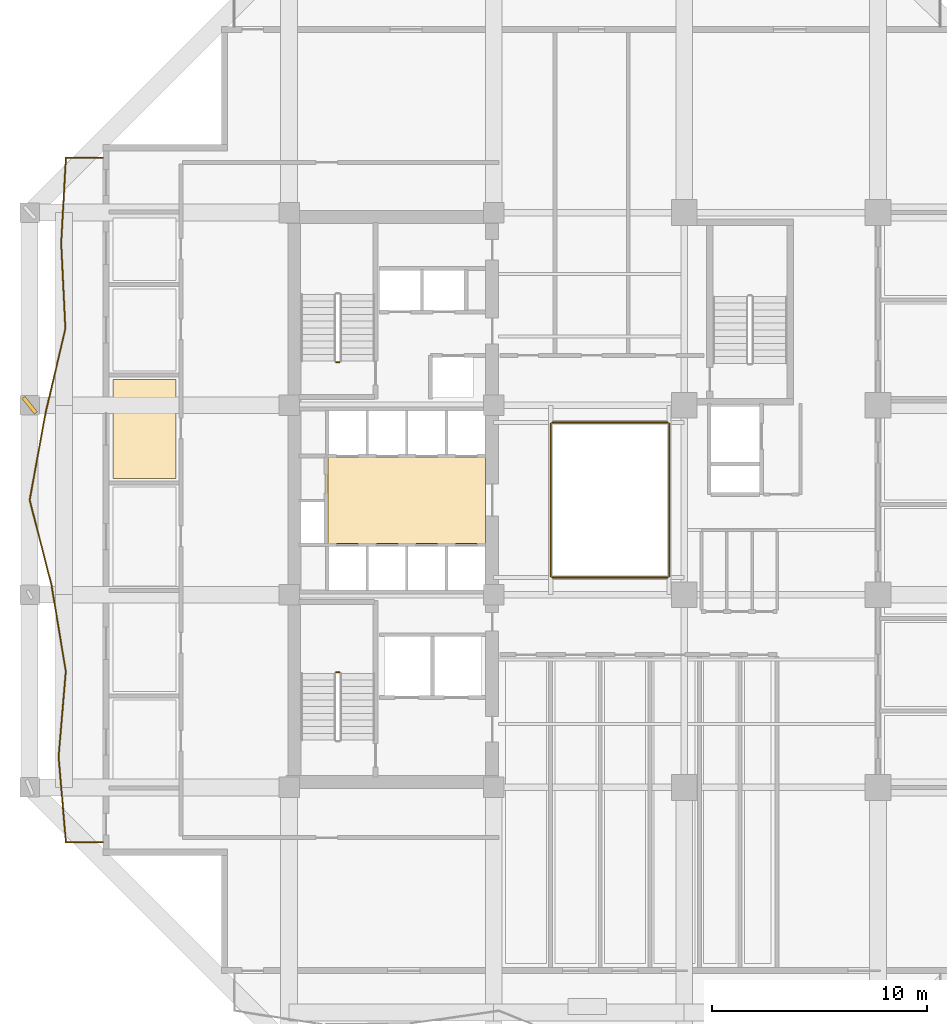
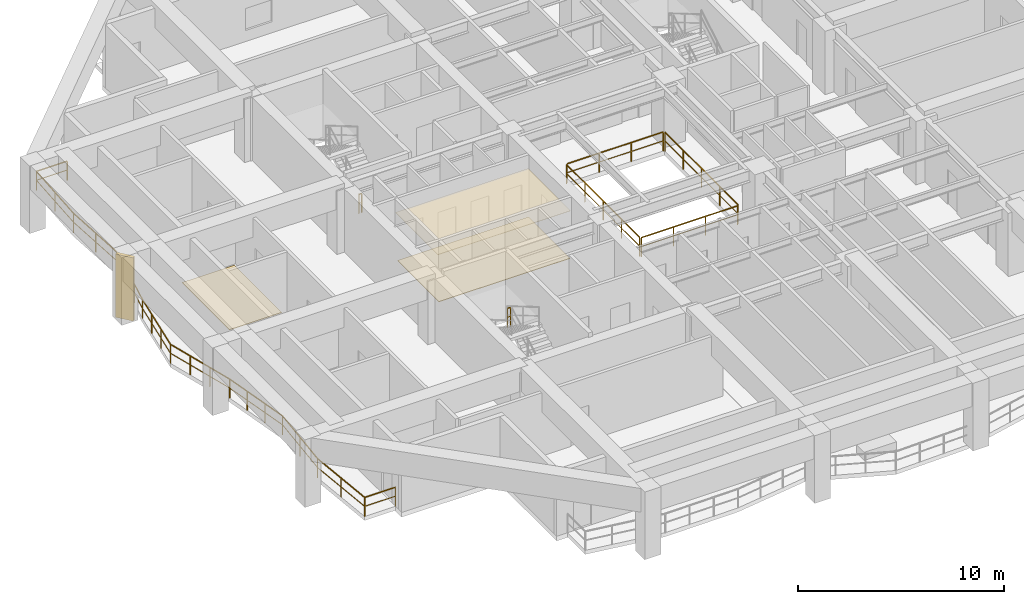
# One storey, part 9 of 13: 7 railings, 3 coverings, 1 shading device.
"""IFC4 building model written with IfcOpenShell, lengths in metres."""

from ifc_helpers import new_model, si_unit, direction, frame, origin, origin_2d, place, context, subcontext, project, spatial, polyline, rectangle, outline, extrude, material, layer, layer_set, type_object, element, save


model = new_model("IFC4")

# Units and contexts
model_context = context("Model", 3, precision=1e-05, world=origin(), true_north=direction((0.0, 1.0)))
body_context = subcontext(model_context, "Body", "Model", "MODEL_VIEW")
ifc_project = project(units=[si_unit("LENGTHUNIT", "METRE"), si_unit("AREAUNIT", "SQUARE_METRE"), si_unit("VOLUMEUNIT", "CUBIC_METRE"), si_unit("PLANEANGLEUNIT", "RADIAN"), si_unit("MASSUNIT", "GRAM", prefix="KILO")], contexts=[model_context])

# Site, building, storey
site_placement = place(None, origin())
site = spatial("IfcSite", under=ifc_project, at=site_placement, CompositionType="ELEMENT")
building_placement = place(site_placement, origin())
building = spatial("IfcBuilding", under=site, at=building_placement, Name="Kundavana Baori Tower", CompositionType="ELEMENT")
storey_placement = place(building_placement, frame((0.0, 0.0, 78.0)))
storey = spatial("IfcBuildingStorey", under=building, at=storey_placement, Name="L18", CompositionType="ELEMENT", Elevation=78.0)

# Coverings
ifc_material_1 = material(Name="Perforated Acoustic Mineral Fibre Ceiling Board")
ifc_layer_1 = layer(ifc_material_1, 0.02490234375, Name="COV-INT-CEIL")
ifc_layer_set_1 = layer_set([ifc_layer_1], Name="Perforated Acoustic Mineral Fibre Ceiling Board")
covering_type_1 = type_object("IfcCoveringType", Name="COV-INT-CEIL", PredefinedType="CEILING", material=ifc_layer_set_1)
covering_1_placement = place(storey_placement, frame((0.0, 0.0, 2.85009765625)))
element("IfcCovering", 1, at=covering_1_placement, inside=storey, type_object=covering_type_1, Name="L18 Core Lift Lobby Acoustic Ceiling", PredefinedType="CEILING", context=body_context, shape_type="SweptSolid", body=[
    extrude(outline(polyline([(17.159912109375, 26.52001953125), (24.580078125, 26.52001953125), (24.580078125, 30.639892578125), (17.159912109375, 30.639892578125), (17.159912109375, 26.52001953125)])), origin(), (0.0, 0.0, 1.0), 0.02490234375),
])
ifc_material_2 = material(Name="Honed Kota Stone and Terrazzo Flooring", Category="masonry")
ifc_layer_2 = layer(ifc_material_2, 0.030029296875, Name="COV-INT-FLR")
ifc_layer_set_2 = layer_set([ifc_layer_2], Name="Honed Kota Stone and Terrazzo Flooring")
covering_type_2 = type_object("IfcCoveringType", Name="COV-INT-FLR", PredefinedType="FLOORING", material=ifc_layer_set_2)
covering_2_placement = place(storey_placement, origin())
element("IfcCovering", 2, at=covering_2_placement, inside=storey, type_object=covering_type_2, Name="L18 Room Finished Stone Flooring 4", PredefinedType="FLOORING", context=body_context, shape_type="SweptSolid", body=[
    extrude(outline(polyline([(7.280029296875, 29.60009765625), (10.199951171875, 29.60009765625), (10.199951171875, 34.199951171875), (7.280029296875, 34.199951171875), (7.280029296875, 29.60009765625)])), origin(), (0.0, 0.0, 1.0), 0.030029296875),
])
covering_3_placement = place(storey_placement, origin())
element("IfcCovering", 3, at=covering_3_placement, inside=storey, type_object=covering_type_2, Name="L18 Core Lift Lobby Kota Stone Flooring", PredefinedType="FLOORING", context=body_context, shape_type="SweptSolid", body=[
    extrude(outline(polyline([(17.25, 26.580078125), (24.580078125, 26.580078125), (24.580078125, 30.60009765625), (17.25, 30.60009765625), (17.25, 26.580078125)])), origin(), (0.0, 0.0, 1.0), 0.030029296875),
])

# Railings
ifc_material_3 = material(Name="Architectural Patinated Bronze Metalwork")
railing_type_1 = type_object("IfcRailingType", Name="RL-BAL-1150", PredefinedType="BALUSTRADE", material=ifc_material_3)
railing_1_placement = place(storey_placement, frame((6.800048828125, 12.699951171875, 0.0)))
element("IfcRailing", 4, at=railing_1_placement, inside=storey, type_object=railing_type_1, Name="L18 Loggia Balcony Balustrade W", PredefinedType="BALUSTRADE", context=body_context, shape_type="SweptSolid", body=[
    extrude(rectangle(XDim=0.048095703125, YDim=0.048095703125, at=origin_2d()), frame((0.0, 0.0, 1.1259765625), z_axis=(-1.0, 0.0, 0.0), x_axis=(0.0, -1.0, 0.0)), (0.0, 0.0, 1.0), 1.719970703125),
    extrude(rectangle(XDim=0.03125, YDim=0.03125, at=origin_2d()), frame((0.0, 0.0, 0.597900390625), z_axis=(-1.0, 0.0, 0.0), x_axis=(0.0, -1.0, 0.0)), (0.0, 0.0, 1.0), 1.719970703125),
    extrude(rectangle(XDim=0.048095703125, YDim=0.048095703125, at=origin_2d()), frame((-1.719970703125, 0.0, 1.1259765625), z_axis=(-0.084514136417, 0.996422280334, 0.0), x_axis=(-0.996422280334, -0.084514136417, 0.0)), (0.0, 0.0, 1.0), 3.9892578125),
    extrude(rectangle(XDim=0.03125, YDim=0.03125, at=origin_2d()), frame((-1.719970703125, 0.0, 0.597900390625), z_axis=(-0.084514136417, 0.996422280334, 0.0), x_axis=(-0.996422280334, -0.084514136417, 0.0)), (0.0, 0.0, 1.0), 3.9892578125),
    extrude(rectangle(XDim=0.048095703125, YDim=0.048095703125, at=origin_2d()), frame((-2.05712890625, 3.97509765625, 1.1259765625), z_axis=(0.083729274706, 0.9964885391, 0.0), x_axis=(-0.9964885391, 0.083729274706, 0.0)), (0.0, 0.0, 1.0), 3.98876953125),
    extrude(rectangle(XDim=0.03125, YDim=0.03125, at=origin_2d()), frame((-2.05712890625, 3.97509765625, 0.597900390625), z_axis=(0.083729274706, 0.9964885391, 0.0), x_axis=(-0.9964885391, 0.083729274706, 0.0)), (0.0, 0.0, 1.0), 3.98876953125),
    extrude(rectangle(XDim=0.048095703125, YDim=0.048095703125, at=origin_2d()), frame((-1.72314453125, 7.949951171875, 1.1259765625), z_axis=(-0.164241795666, 0.986420109566, 0.0), x_axis=(-0.986420109566, -0.164241795666, 0.0)), (0.0, 0.0, 1.0), 4.02978515625),
    extrude(rectangle(XDim=0.03125, YDim=0.03125, at=origin_2d()), frame((-1.72314453125, 7.949951171875, 0.597900390625), z_axis=(-0.164241795666, 0.986420109566, 0.0), x_axis=(-0.986420109566, -0.164241795666, 0.0)), (0.0, 0.0, 1.0), 4.02978515625),
    extrude(rectangle(XDim=0.048095703125, YDim=0.048095703125, at=origin_2d()), frame((-2.385009765625, 11.925048828125, 1.1259765625), z_axis=(-0.247433167705, 0.9689049631, 0.0), x_axis=(-0.9689049631, -0.247433167705, 0.0)), (0.0, 0.0, 1.0), 4.102783203125),
    extrude(rectangle(XDim=0.03125, YDim=0.03125, at=origin_2d()), frame((-2.385009765625, 11.925048828125, 0.597900390625), z_axis=(-0.247433167705, 0.9689049631, 0.0), x_axis=(-0.9689049631, -0.247433167705, 0.0)), (0.0, 0.0, 1.0), 4.102783203125),
    extrude(rectangle(XDim=0.048095703125, YDim=0.048095703125, at=origin_2d()), frame((-3.400146484375, 15.900146484375, 1.1259765625), z_axis=(0.178289736384, 0.983978033241, 0.0), x_axis=(-0.983978033241, 0.178289736384, 0.0)), (0.0, 0.0, 1.0), 4.03955078125),
    extrude(rectangle(XDim=0.03125, YDim=0.03125, at=origin_2d()), frame((-3.400146484375, 15.900146484375, 0.597900390625), z_axis=(0.178289736384, 0.983978033241, 0.0), x_axis=(-0.983978033241, 0.178289736384, 0.0)), (0.0, 0.0, 1.0), 4.03955078125),
    extrude(rectangle(XDim=0.048095703125, YDim=0.048095703125, at=origin_2d()), frame((-2.679931640625, 19.875, 1.1259765625), z_axis=(0.229149294289, 0.973391288705, 0.0), x_axis=(-0.973391288705, 0.229149294289, 0.0)), (0.0, 0.0, 1.0), 4.083740234375),
    extrude(rectangle(XDim=0.03125, YDim=0.03125, at=origin_2d()), frame((-2.679931640625, 19.875, 0.597900390625), z_axis=(0.229149294289, 0.973391288705, 0.0), x_axis=(-0.973391288705, 0.229149294289, 0.0)), (0.0, 0.0, 1.0), 4.083740234375),
    extrude(rectangle(XDim=0.048095703125, YDim=0.048095703125, at=origin_2d()), frame((-1.744140625, 23.85009765625, 1.1259765625), z_axis=(-0.048220971694, 0.998836692302, 0.0), x_axis=(-0.998836692302, -0.048220971694, 0.0)), (0.0, 0.0, 1.0), 3.9794921875),
    extrude(rectangle(XDim=0.03125, YDim=0.03125, at=origin_2d()), frame((-1.744140625, 23.85009765625, 0.597900390625), z_axis=(-0.048220971694, 0.998836692302, 0.0), x_axis=(-0.998836692302, -0.048220971694, 0.0)), (0.0, 0.0, 1.0), 3.9794921875),
    extrude(rectangle(XDim=0.048095703125, YDim=0.048095703125, at=origin_2d()), frame((-1.93603515625, 27.824951171875, 1.1259765625), z_axis=(0.054274386588, 0.99852605923, 0.0), x_axis=(-0.99852605923, 0.054274386588, 0.0)), (0.0, 0.0, 1.0), 3.98095703125),
    extrude(rectangle(XDim=0.03125, YDim=0.03125, at=origin_2d()), frame((-1.93603515625, 27.824951171875, 0.597900390625), z_axis=(0.054274386588, 0.99852605923, 0.0), x_axis=(-0.99852605923, 0.054274386588, 0.0)), (0.0, 0.0, 1.0), 3.98095703125),
    extrude(rectangle(XDim=0.048095703125, YDim=0.048095703125, at=origin_2d()), frame((-1.719970703125, 31.800048828125, 1.1259765625), z_axis=(1.0, 0.0, 0.0), x_axis=(0.0, 1.0, 0.0)), (0.0, 0.0, 1.0), 1.719970703125),
    extrude(rectangle(XDim=0.03125, YDim=0.03125, at=origin_2d()), frame((-1.719970703125, 31.800048828125, 0.597900390625), z_axis=(1.0, 0.0, 0.0), x_axis=(0.0, 1.0, 0.0)), (0.0, 0.0, 1.0), 1.719970703125),
    extrude(rectangle(XDim=0.0419921875, YDim=0.0419921875, at=origin_2d()), origin(), (0.0, 0.0, 1.0), 1.101806640625),
    extrude(rectangle(XDim=0.0419921875, YDim=0.0419921875, at=origin_2d()), frame((-1.719970703125, 0.0, 0.0)), (0.0, 0.0, 1.0), 1.101806640625),
    extrude(rectangle(XDim=0.0419921875, YDim=0.0419921875, at=origin_2d()), frame((-1.888671875, 1.987548828125, 0.0)), (0.0, 0.0, 1.0), 1.101806640625),
    extrude(rectangle(XDim=0.0419921875, YDim=0.0419921875, at=origin_2d()), frame((-2.05712890625, 3.97509765625, 0.0)), (0.0, 0.0, 1.0), 1.101806640625),
    extrude(rectangle(XDim=0.0419921875, YDim=0.0419921875, at=origin_2d()), frame((-1.89013671875, 5.96240234375, 0.0)), (0.0, 0.0, 1.0), 1.101806640625),
    extrude(rectangle(XDim=0.0419921875, YDim=0.0419921875, at=origin_2d()), frame((-1.72314453125, 7.949951171875, 0.0)), (0.0, 0.0, 1.0), 1.101806640625),
    extrude(rectangle(XDim=0.0419921875, YDim=0.0419921875, at=origin_2d()), frame((-1.94384765625, 9.27490234375, 0.0)), (0.0, 0.0, 1.0), 1.101806640625),
    extrude(rectangle(XDim=0.0419921875, YDim=0.0419921875, at=origin_2d()), frame((-2.164306640625, 10.60009765625, 0.0)), (0.0, 0.0, 1.0), 1.101806640625),
    extrude(rectangle(XDim=0.0419921875, YDim=0.0419921875, at=origin_2d()), frame((-2.385009765625, 11.925048828125, 0.0)), (0.0, 0.0, 1.0), 1.101806640625),
    extrude(rectangle(XDim=0.0419921875, YDim=0.0419921875, at=origin_2d()), frame((-2.723388671875, 13.25, 0.0)), (0.0, 0.0, 1.0), 1.101806640625),
    extrude(rectangle(XDim=0.0419921875, YDim=0.0419921875, at=origin_2d()), frame((-3.061767578125, 14.5751953125, 0.0)), (0.0, 0.0, 1.0), 1.101806640625),
    extrude(rectangle(XDim=0.0419921875, YDim=0.0419921875, at=origin_2d()), frame((-3.400146484375, 15.900146484375, 0.0)), (0.0, 0.0, 1.0), 1.101806640625),
    extrude(rectangle(XDim=0.0419921875, YDim=0.0419921875, at=origin_2d()), frame((-3.16015625, 17.22509765625, 0.0)), (0.0, 0.0, 1.0), 1.101806640625),
    extrude(rectangle(XDim=0.0419921875, YDim=0.0419921875, at=origin_2d()), frame((-2.919921875, 18.550048828125, 0.0)), (0.0, 0.0, 1.0), 1.101806640625),
    extrude(rectangle(XDim=0.0419921875, YDim=0.0419921875, at=origin_2d()), frame((-2.679931640625, 19.875, 0.0)), (0.0, 0.0, 1.0), 1.101806640625),
    extrude(rectangle(XDim=0.0419921875, YDim=0.0419921875, at=origin_2d()), frame((-2.367919921875, 21.199951171875, 0.0)), (0.0, 0.0, 1.0), 1.101806640625),
    extrude(rectangle(XDim=0.0419921875, YDim=0.0419921875, at=origin_2d()), frame((-2.05615234375, 22.525146484375, 0.0)), (0.0, 0.0, 1.0), 1.101806640625),
    extrude(rectangle(XDim=0.0419921875, YDim=0.0419921875, at=origin_2d()), frame((-1.744140625, 23.85009765625, 0.0)), (0.0, 0.0, 1.0), 1.101806640625),
    extrude(rectangle(XDim=0.0419921875, YDim=0.0419921875, at=origin_2d()), frame((-1.840087890625, 25.83740234375, 0.0)), (0.0, 0.0, 1.0), 1.101806640625),
    extrude(rectangle(XDim=0.0419921875, YDim=0.0419921875, at=origin_2d()), frame((-1.93603515625, 27.824951171875, 0.0)), (0.0, 0.0, 1.0), 1.101806640625),
    extrude(rectangle(XDim=0.0419921875, YDim=0.0419921875, at=origin_2d()), frame((-1.828125, 29.8125, 0.0)), (0.0, 0.0, 1.0), 1.101806640625),
    extrude(rectangle(XDim=0.0419921875, YDim=0.0419921875, at=origin_2d()), frame((-1.719970703125, 31.800048828125, 0.0)), (0.0, 0.0, 1.0), 1.101806640625),
    extrude(rectangle(XDim=0.0419921875, YDim=0.0419921875, at=origin_2d()), frame((0.0, 31.800048828125, 0.0)), (0.0, 0.0, 1.0), 1.101806640625),
])
ifc_material_4 = material(Name="Architectural Patinated Bronze Metalwork")
railing_type_2 = type_object("IfcRailingType", Name="RL-GRD-1150", PredefinedType="GUARDRAIL", material=ifc_material_4)
for number, where, name in (
    (5, (17.7900390625, 20.60009765625, 2.0), "L18 ST1 stair guard 2"),
    (6, (17.7900390625, 35.0, 0.0), "L18 ST2 stair guard 4"),
):
    element("IfcRailing", number, at=place(storey_placement, frame(where)), inside=storey, type_object=railing_type_2, Name=name, PredefinedType="GUARDRAIL", context=body_context, shape_type="SweptSolid", body=[
        extrude(rectangle(XDim=0.048095703125, YDim=0.048095703125, at=origin_2d()), frame((0.0, 0.0, 1.1259765625), z_axis=(-1.0, 0.0, 0.0), x_axis=(0.0, -1.0, 0.0)), (0.0, 0.0, 1.0), 0.16015625),
        extrude(rectangle(XDim=0.03125, YDim=0.03125, at=origin_2d()), frame((0.0, 0.0, 0.597900390625), z_axis=(-1.0, 0.0, 0.0), x_axis=(0.0, -1.0, 0.0)), (0.0, 0.0, 1.0), 0.16015625),
        extrude(rectangle(XDim=0.0419921875, YDim=0.0419921875, at=origin_2d()), origin(), (0.0, 0.0, 1.0), 1.101806640625),
        extrude(rectangle(XDim=0.0419921875, YDim=0.0419921875, at=origin_2d()), frame((-0.16015625, 0.0, 0.0)), (0.0, 0.0, 1.0), 1.101806640625),
    ])
railing_2_placement = place(storey_placement, frame((27.659912109375, 25.0, 0.0)))
element("IfcRailing", 7, at=railing_2_placement, inside=storey, type_object=railing_type_2, Name="L18 Atrium Void Perimeter Guardrail S", PredefinedType="GUARDRAIL", context=body_context, shape_type="SweptSolid", body=[
    extrude(rectangle(XDim=0.048095703125, YDim=0.048095703125, at=origin_2d()), frame((0.0, 0.0, 1.1259765625), z_axis=(1.0, 0.0, 0.0), x_axis=(0.0, 1.0, 0.0)), (0.0, 0.0, 1.0), 5.380126953125),
    extrude(rectangle(XDim=0.03125, YDim=0.03125, at=origin_2d()), frame((0.0, 0.0, 0.597900390625), z_axis=(1.0, 0.0, 0.0), x_axis=(0.0, 1.0, 0.0)), (0.0, 0.0, 1.0), 5.380126953125),
    extrude(rectangle(XDim=0.0419921875, YDim=0.0419921875, at=origin_2d()), origin(), (0.0, 0.0, 1.0), 1.101806640625),
    extrude(rectangle(XDim=0.0419921875, YDim=0.0419921875, at=origin_2d()), frame((1.79345703125, 0.0, 0.0)), (0.0, 0.0, 1.0), 1.101806640625),
    extrude(rectangle(XDim=0.0419921875, YDim=0.0419921875, at=origin_2d()), frame((3.586669921875, 0.0, 0.0)), (0.0, 0.0, 1.0), 1.101806640625),
    extrude(rectangle(XDim=0.0419921875, YDim=0.0419921875, at=origin_2d()), frame((5.380126953125, 0.0, 0.0)), (0.0, 0.0, 1.0), 1.101806640625),
])
railing_3_placement = place(storey_placement, frame((33.10009765625, 25.06005859375, 0.0)))
element("IfcRailing", 8, at=railing_3_placement, inside=storey, type_object=railing_type_2, Name="L18 Atrium Void Perimeter Guardrail E", PredefinedType="GUARDRAIL", context=body_context, shape_type="SweptSolid", body=[
    extrude(rectangle(XDim=0.048095703125, YDim=0.048095703125, at=origin_2d()), frame((0.0, 0.0, 1.1259765625), z_axis=(0.0, 1.0, 0.0), x_axis=(-1.0, 0.0, 0.0)), (0.0, 0.0, 1.0), 7.079833984375),
    extrude(rectangle(XDim=0.03125, YDim=0.03125, at=origin_2d()), frame((0.0, 0.0, 0.597900390625), z_axis=(0.0, 1.0, 0.0), x_axis=(-1.0, 0.0, 0.0)), (0.0, 0.0, 1.0), 7.079833984375),
    extrude(rectangle(XDim=0.0419921875, YDim=0.0419921875, at=origin_2d()), origin(), (0.0, 0.0, 1.0), 1.101806640625),
    extrude(rectangle(XDim=0.0419921875, YDim=0.0419921875, at=origin_2d()), frame((0.0, 1.77001953125, 0.0)), (0.0, 0.0, 1.0), 1.101806640625),
    extrude(rectangle(XDim=0.0419921875, YDim=0.0419921875, at=origin_2d()), frame((0.0, 3.5400390625, 0.0)), (0.0, 0.0, 1.0), 1.101806640625),
    extrude(rectangle(XDim=0.0419921875, YDim=0.0419921875, at=origin_2d()), frame((0.0, 5.309814453125, 0.0)), (0.0, 0.0, 1.0), 1.101806640625),
    extrude(rectangle(XDim=0.0419921875, YDim=0.0419921875, at=origin_2d()), frame((0.0, 7.079833984375, 0.0)), (0.0, 0.0, 1.0), 1.101806640625),
])
railing_4_placement = place(storey_placement, frame((33.0400390625, 32.199951171875, 0.0)))
element("IfcRailing", 9, at=railing_4_placement, inside=storey, type_object=railing_type_2, Name="L18 Atrium Void Perimeter Guardrail N", PredefinedType="GUARDRAIL", context=body_context, shape_type="SweptSolid", body=[
    extrude(rectangle(XDim=0.048095703125, YDim=0.048095703125, at=origin_2d()), frame((0.0, 0.0, 1.1259765625), z_axis=(-1.0, 0.0, 0.0), x_axis=(0.0, -1.0, 0.0)), (0.0, 0.0, 1.0), 5.380126953125),
    extrude(rectangle(XDim=0.03125, YDim=0.03125, at=origin_2d()), frame((0.0, 0.0, 0.597900390625), z_axis=(-1.0, 0.0, 0.0), x_axis=(0.0, -1.0, 0.0)), (0.0, 0.0, 1.0), 5.380126953125),
    extrude(rectangle(XDim=0.0419921875, YDim=0.0419921875, at=origin_2d()), origin(), (0.0, 0.0, 1.0), 1.101806640625),
    extrude(rectangle(XDim=0.0419921875, YDim=0.0419921875, at=origin_2d()), frame((-1.79345703125, 0.0, 0.0)), (0.0, 0.0, 1.0), 1.101806640625),
    extrude(rectangle(XDim=0.0419921875, YDim=0.0419921875, at=origin_2d()), frame((-3.586669921875, 0.0, 0.0)), (0.0, 0.0, 1.0), 1.101806640625),
    extrude(rectangle(XDim=0.0419921875, YDim=0.0419921875, at=origin_2d()), frame((-5.380126953125, 0.0, 0.0)), (0.0, 0.0, 1.0), 1.101806640625),
])
railing_5_placement = place(storey_placement, frame((27.60009765625, 32.139892578125, 0.0)))
element("IfcRailing", 10, at=railing_5_placement, inside=storey, type_object=railing_type_2, Name="L18 Atrium Void Perimeter Guardrail W", PredefinedType="GUARDRAIL", context=body_context, shape_type="SweptSolid", body=[
    extrude(rectangle(XDim=0.048095703125, YDim=0.048095703125, at=origin_2d()), frame((0.0, 0.0, 1.1259765625), z_axis=(0.0, -1.0, 0.0), x_axis=(1.0, 0.0, 0.0)), (0.0, 0.0, 1.0), 7.079833984375),
    extrude(rectangle(XDim=0.03125, YDim=0.03125, at=origin_2d()), frame((0.0, 0.0, 0.597900390625), z_axis=(0.0, -1.0, 0.0), x_axis=(1.0, 0.0, 0.0)), (0.0, 0.0, 1.0), 7.079833984375),
    extrude(rectangle(XDim=0.0419921875, YDim=0.0419921875, at=origin_2d()), origin(), (0.0, 0.0, 1.0), 1.101806640625),
    extrude(rectangle(XDim=0.0419921875, YDim=0.0419921875, at=origin_2d()), frame((0.0, -1.77001953125, 0.0)), (0.0, 0.0, 1.0), 1.101806640625),
    extrude(rectangle(XDim=0.0419921875, YDim=0.0419921875, at=origin_2d()), frame((0.0, -3.5400390625, 0.0)), (0.0, 0.0, 1.0), 1.101806640625),
    extrude(rectangle(XDim=0.0419921875, YDim=0.0419921875, at=origin_2d()), frame((0.0, -5.309814453125, 0.0)), (0.0, 0.0, 1.0), 1.101806640625),
    extrude(rectangle(XDim=0.0419921875, YDim=0.0419921875, at=origin_2d()), frame((0.0, -7.079833984375, 0.0)), (0.0, 0.0, 1.0), 1.101806640625),
])

# Shading device
ifc_material_5 = material(Name="Red-Buff Dholpur Sandstone Cladding on Concrete C40/50", Category="masonry")
shading_device_type = type_object("IfcShadingDeviceType", Name="SHD-FIN-920", PredefinedType="JALOUSIE", material=ifc_material_5)
shading_device_placement = place(storey_placement, frame((3.39990234375, 33.0, 0.0), z_axis=(0.0, 0.0, 1.0), x_axis=(0.780430407338, 0.625242656336, 0.0)))
element("IfcShadingDevice", 11, at=shading_device_placement, inside=storey, type_object=shading_device_type, Name="L18 Sweeping Dholpur Sandstone Facade Fin 7", PredefinedType="JALOUSIE", context=body_context, shape_type="SweptSolid", body=[
    extrude(rectangle(XDim=0.179931640625, YDim=0.919921875, at=origin_2d()), origin(), (0.0, 0.0, 1.0), 3.739990234375),
])

save(model, "model.ifc")
